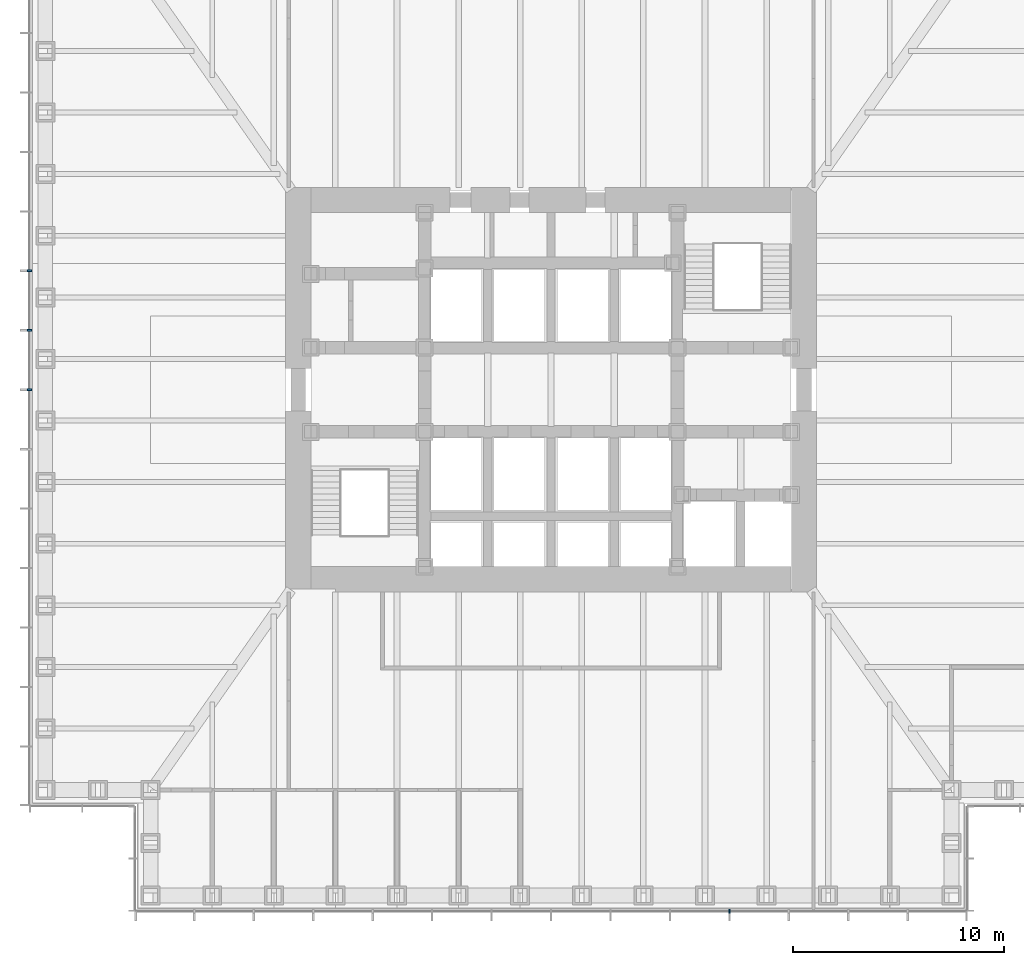
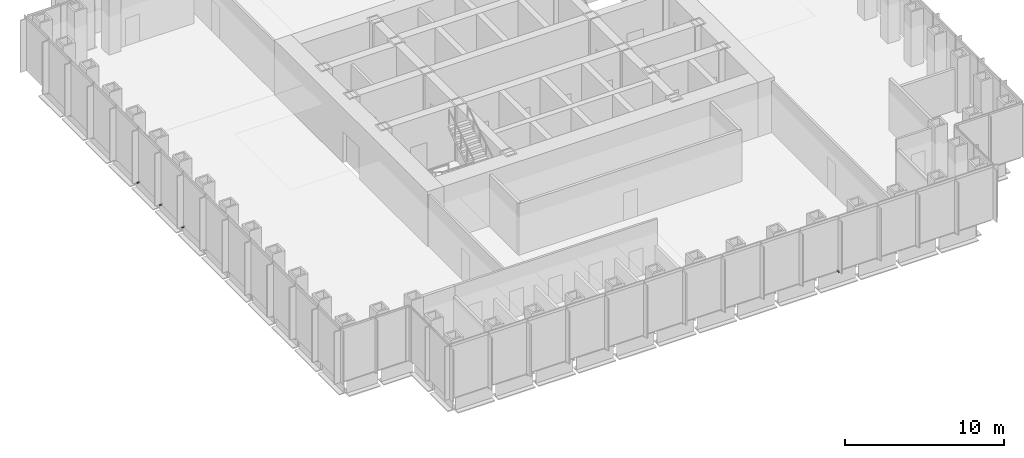
# One storey, part 13 of 17: 4 discrete accessories.
"""IFC4 building model written with IfcOpenShell, lengths in metres."""

from ifc_helpers import new_model, si_unit, direction, frame, origin, origin_2d, place, context, subcontext, project, spatial, rectangle, extrude, element, save


model = new_model("IFC4")

# Units and contexts
model_context = context("Model", 3, precision=1e-05, world=origin(), true_north=direction((0.0, 1.0)))
body_context = subcontext(model_context, "Body", "Model", "MODEL_VIEW")
ifc_project = project(units=[si_unit("LENGTHUNIT", "METRE"), si_unit("AREAUNIT", "SQUARE_METRE"), si_unit("VOLUMEUNIT", "CUBIC_METRE"), si_unit("PLANEANGLEUNIT", "RADIAN"), si_unit("MASSUNIT", "GRAM", prefix="KILO")], contexts=[model_context])

# Site, building, storey
site_placement = place(None, origin())
site = spatial("IfcSite", under=ifc_project, at=site_placement, CompositionType="ELEMENT")
building_placement = place(site_placement, origin())
building = spatial("IfcBuilding", under=site, at=building_placement, Name="Daluyong Arena Tower", CompositionType="ELEMENT")
storey_placement = place(building_placement, frame((0.0, 0.0, 97.89990234375)))
storey = spatial("IfcBuildingStorey", under=building, at=storey_placement, Name="L21", CompositionType="ELEMENT", Elevation=97.89990234375)

# Discrete accessories
for number, where, z_axis, x_axis, name in (
    (1, (64.46435546875, 55.25, -0.099853515625), (0.0, 0.0, 1.0), (1.0, 0.0, 0.0), "curtain wall L21 S anchor bracket 11"),
    (2, (31.25, 85.642822265625, -0.099853515625), (0.0, 0.0, 1.0), (0.0, -1.0, 0.0), "curtain wall L21 W anchor bracket 6"),
    (3, (31.25, 82.821533203125, -0.099853515625), (0.0, 0.0, 1.0), (0.0, -1.0, 0.0), "curtain wall L21 W anchor bracket 7"),
    (4, (31.25, 80.0, -0.099853515625), (0.0, 0.0, 1.0), (0.0, -1.0, 0.0), "curtain wall L21 W anchor bracket 8"),
):
    element("IfcDiscreteAccessory", number, at=place(storey_placement, frame(where, z_axis=z_axis, x_axis=x_axis)), inside=storey, Name=name, PredefinedType="BRACKET", context=body_context, shape_type="SweptSolid", body=[
        extrude(rectangle(XDim=0.080078125, YDim=0.199951171875, at=origin_2d()), origin(), (0.0, 0.0, 1.0), 0.10009765625),
    ])

save(model, "model.ifc")
